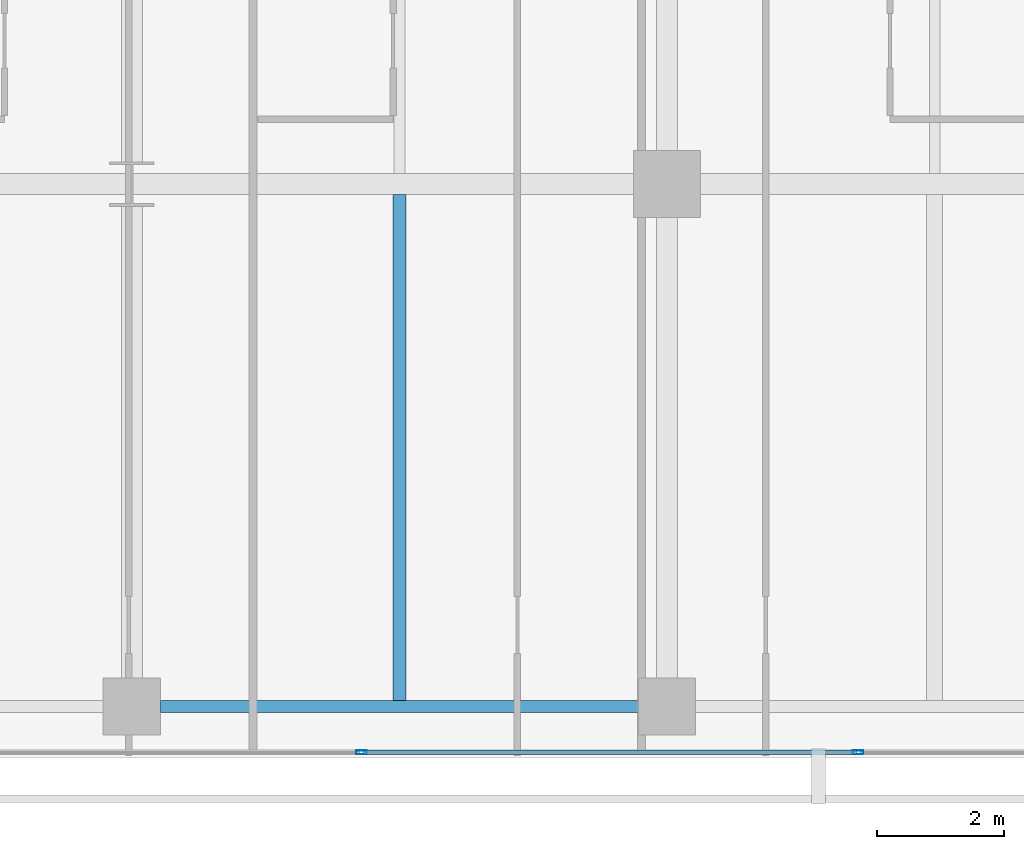
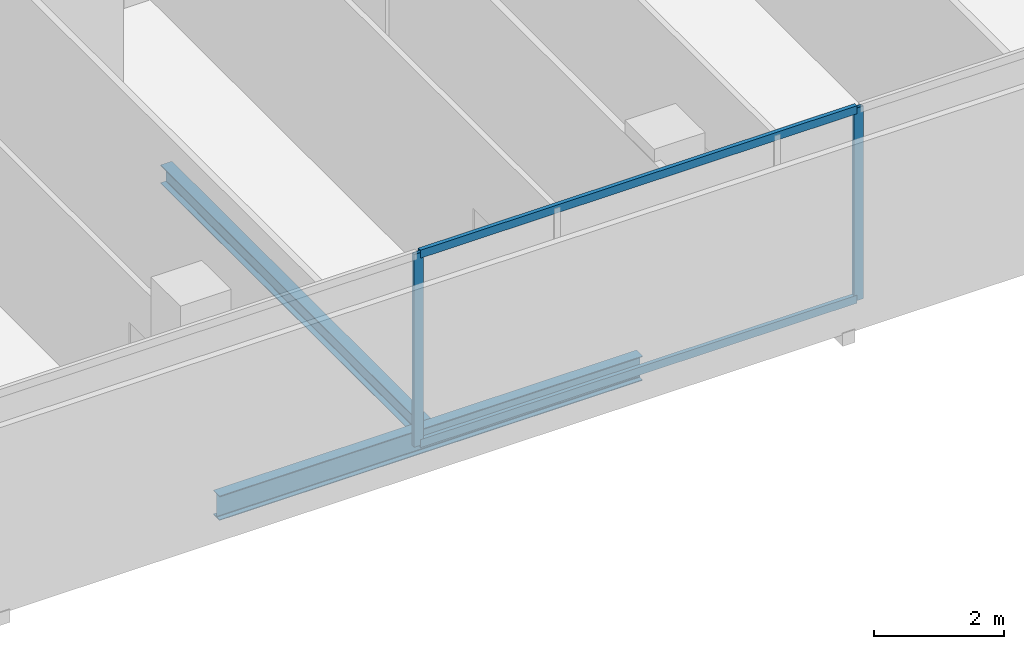
# One storey, part 14 of 40: 4 members, 2 beams, 1 element without a shape of its own.
"""IFC4 building model written with IfcOpenShell, lengths in metres."""

from ifc_helpers import new_model, si_unit, direction, frame, origin, origin_2d, place, context, subcontext, project, spatial, hollow_rectangle, i_section, extrude, material, layer, layer_set, material_profile, profile_set, type_object, element, aggregate, save


model = new_model("IFC4")

# Units and contexts
model_context = context("Model", 3, precision=1e-05, world=origin(), true_north=direction((0.0, 1.0)))
body_context = subcontext(model_context, "Body", "Model", "MODEL_VIEW")
ifc_project = project(units=[si_unit("LENGTHUNIT", "METRE"), si_unit("AREAUNIT", "SQUARE_METRE"), si_unit("VOLUMEUNIT", "CUBIC_METRE"), si_unit("PLANEANGLEUNIT", "RADIAN"), si_unit("MASSUNIT", "GRAM", prefix="KILO")], contexts=[model_context])

# Site, building, storey
site_placement = place(None, origin())
site = spatial("IfcSite", under=ifc_project, at=site_placement, CompositionType="ELEMENT")
building_placement = place(site_placement, origin())
building = spatial("IfcBuilding", under=site, at=building_placement, Name="Maruvema Waterfront Hotel and Observation Tower", CompositionType="ELEMENT")
storey_placement = place(building_placement, frame((0.0, 0.0, 34.64990234375)))
storey = spatial("IfcBuildingStorey", under=building, at=storey_placement, Name="L07", CompositionType="ELEMENT", Elevation=34.64990234375)

# Curtain wall, members
ifc_material_1 = material(Name="Anodised bronze aluminium and solar-control low-E IGU", Category="aluminium")
ifc_layer = layer(ifc_material_1, 0.159912109375, Name="Zone 1 Bronze Inner Thermal Curtain Wall System CW-02")
ifc_layer_set = layer_set([ifc_layer], Name="Anodised bronze aluminium and solar-control low-E IGU")
curtain_wall_type = type_object("IfcCurtainWallType", Name="Zone 1 Bronze Inner Thermal Curtain Wall System CW-02", PredefinedType="USERDEFINED", material=ifc_layer_set)
curtain_wall_placement = place(storey_placement, origin())
curtain_wall = element("IfcCurtainWall", 1, at=curtain_wall_placement, inside=storey, type_object=curtain_wall_type, Name="L07 Curtain Wall CW-L07-S", ObjectType="UNITISED CURTAIN WALL", PredefinedType="USERDEFINED")
ifc_material_2 = material(Name="Anodised architectural bronze aluminium", Category="aluminium")
ifc_material_profile_1 = material_profile(ifc_material_2, hollow_rectangle(XDim=0.070068359375, YDim=0.14990234375, WallThickness=0.00390625, at=origin_2d()), Name="ALU-T70x150")
ifc_profile_set_1 = profile_set([ifc_material_profile_1], Name="Anodised architectural bronze aluminium")
member_type_1 = type_object("IfcMemberType", Name="Curtain Wall Horizontal Transom ALU-T70x150", PredefinedType="USERDEFINED", material=ifc_profile_set_1)
member_1_placement = place(storey_placement, frame((45.6298828125, 0.080078125, 0.030029296875), z_axis=(1.0, 0.0, 0.0), x_axis=(0.0, 1.0, 0.0)))
member_1 = element("IfcMember", 2, at=member_1_placement, type_object=member_type_1, Name="CW-02 transom 5.1", ObjectType="TRANSOM", PredefinedType="USERDEFINED", context=body_context, shape_type="SweptSolid", body=[
    extrude(hollow_rectangle(XDim=0.070068359375, YDim=0.14990234375, WallThickness=0.00390625, at=origin_2d()), origin(), (0.0, 0.0, 1.0), 7.740234375),
])
member_2_placement = place(storey_placement, frame((45.6298828125, 0.080078125, 3.580078125), z_axis=(1.0, 0.0, 0.0), x_axis=(0.0, 1.0, 0.0)))
member_2 = element("IfcMember", 3, at=member_2_placement, type_object=member_type_1, Name="CW-02 transom 5.2", ObjectType="TRANSOM", PredefinedType="USERDEFINED", context=body_context, shape_type="SweptSolid", body=[
    extrude(hollow_rectangle(XDim=0.070068359375, YDim=0.14990234375, WallThickness=0.00390625, at=origin_2d()), origin(), (0.0, 0.0, 1.0), 7.740234375),
])
ifc_material_3 = material(Name="Anodised architectural bronze aluminium", Category="aluminium")
ifc_material_profile_2 = material_profile(ifc_material_3, hollow_rectangle(XDim=0.06494140625, YDim=0.1650390625, WallThickness=0.00390625, at=origin_2d()), Name="ALU-M65x165")
ifc_profile_set_2 = profile_set([ifc_material_profile_2], Name="Anodised architectural bronze aluminium")
member_type_2 = type_object("IfcMemberType", Name="Curtain Wall Primary Mullion ALU-M65x165", PredefinedType="MULLION", material=ifc_profile_set_2)
member_3_placement = place(storey_placement, frame((45.60009765625, 0.080078125, 0.0), z_axis=(0.0, 0.0, 1.0), x_axis=(0.0, 1.0, 0.0)))
member_3 = element("IfcMember", 4, at=member_3_placement, type_object=member_type_2, Name="CW-02 mullion 5", PredefinedType="MULLION", context=body_context, shape_type="SweptSolid", body=[
    extrude(hollow_rectangle(XDim=0.06494140625, YDim=0.1650390625, WallThickness=0.00390625, at=origin_2d()), origin(), (0.0, 0.0, 1.0), 3.610107421875),
])
member_4_placement = place(storey_placement, frame((53.39990234375, 0.080078125, 0.0), z_axis=(0.0, 0.0, 1.0), x_axis=(0.0, 1.0, 0.0)))
member_4 = element("IfcMember", 5, at=member_4_placement, type_object=member_type_2, Name="CW-02 mullion 6", PredefinedType="MULLION", context=body_context, shape_type="SweptSolid", body=[
    extrude(hollow_rectangle(XDim=0.06494140625, YDim=0.1650390625, WallThickness=0.00390625, at=origin_2d()), origin(), (0.0, 0.0, 1.0), 3.610107421875),
])
aggregate(curtain_wall, [member_3, member_4, member_1, member_2])

# Beams
ifc_material_4 = material(Name="Steel ASTM A572 Grade 50", Category="steel")
ifc_material_profile_3 = material_profile(ifc_material_4, i_section(OverallWidth=0.18994140625, OverallDepth=0.45703125, WebThickness=0.009033203125, FlangeThickness=0.014404296875, FilletRadius=0.014892578125, at=origin_2d()), Name="W460x74.0")
ifc_profile_set_3 = profile_set([ifc_material_profile_3], Name="Steel ASTM A572 Grade 50")
beam_type_1 = type_object("IfcBeamType", Name="Perimeter Spandrel Beam W460x74.0", PredefinedType="SPANDREL", material=ifc_profile_set_3)
beam_1_placement = place(storey_placement, frame((42.449951171875, 0.800048828125, -0.468505859375), z_axis=(1.0, 0.0, 0.0), x_axis=(0.0, 1.0, 0.0)))
element("IfcBeam", 6, at=beam_1_placement, inside=storey, type_object=beam_type_1, Name="L07 Floor Girder EW-04", PredefinedType="SPANDREL", context=body_context, shape_type="SweptSolid", body=[
    extrude(i_section(OverallWidth=0.18994140625, OverallDepth=0.45703125, WebThickness=0.009033203125, FlangeThickness=0.014404296875, FilletRadius=0.014892578125, at=origin_2d()), origin(), (0.0, 0.0, 1.0), 7.5),
])
ifc_material_5 = material(Name="Steel ASTM A572 Grade 50", Category="steel")
ifc_material_profile_4 = material_profile(ifc_material_5, i_section(OverallWidth=0.202880859375, OverallDepth=0.346923828125, WebThickness=0.0078125, FlangeThickness=0.013427734375, FilletRadius=0.014892578125, at=origin_2d()), Name="W360x64.0")
ifc_profile_set_4 = profile_set([ifc_material_profile_4], Name="Steel ASTM A572 Grade 50")
beam_type_2 = type_object("IfcBeamType", Name="Secondary Floor Joist W360x64.0", PredefinedType="JOIST", material=ifc_profile_set_4)
beam_2_placement = place(storey_placement, frame((46.199951171875, 0.89501953125, -0.413330078125), z_axis=(0.0, 1.0, 0.0), x_axis=(-1.0, 0.0, 0.0)))
element("IfcBeam", 7, at=beam_2_placement, inside=storey, type_object=beam_type_2, Name="L07 Secondary Floor Joist JS-14", PredefinedType="JOIST", context=body_context, shape_type="SweptSolid", body=[
    extrude(i_section(OverallWidth=0.202880859375, OverallDepth=0.346923828125, WebThickness=0.0078125, FlangeThickness=0.013427734375, FilletRadius=0.014892578125, at=origin_2d()), origin(), (0.0, 0.0, 1.0), 7.9404296875),
])

save(model, "model.ifc")
